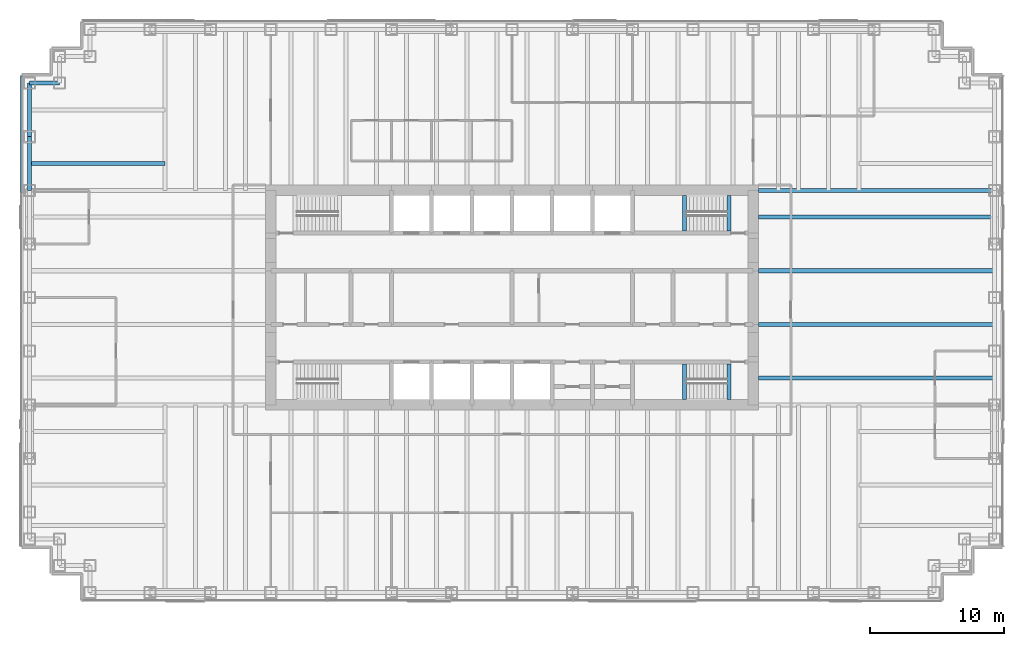
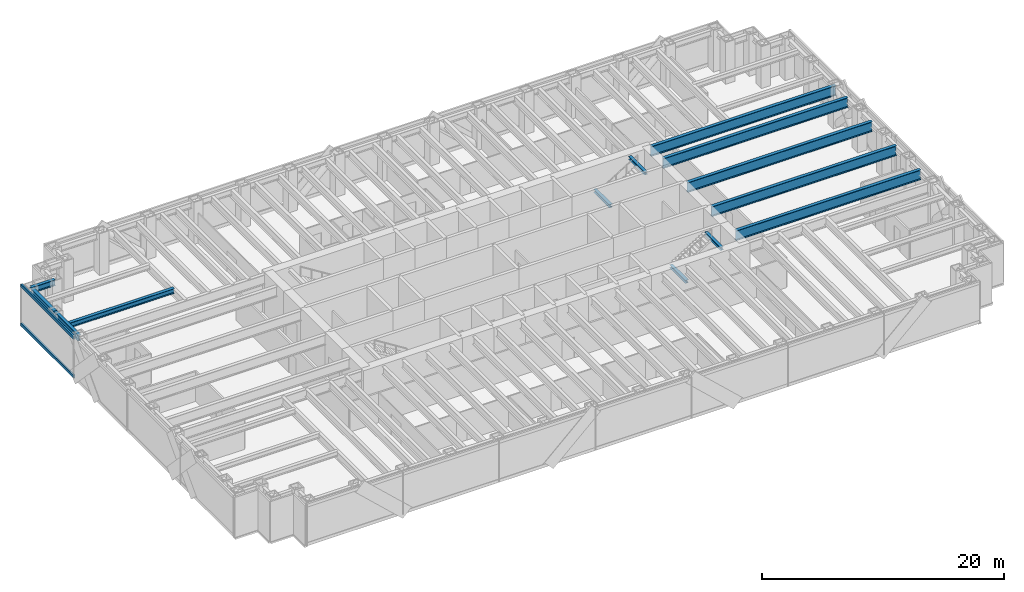
# One storey, part 5 of 19: 13 beams, 2 members, 1 element without a shape of its own.
"""IFC4 building model written with IfcOpenShell, lengths in metres."""

from ifc_helpers import new_model, si_unit, direction, frame, origin, origin_2d, place, context, subcontext, project, spatial, rectangle, i_section, extrude, material, material_profile, profile_set, type_object, element, aggregate, save


model = new_model("IFC4")

# Units and contexts
model_context = context("Model", 3, precision=1e-05, world=origin(), true_north=direction((0.0, 1.0)))
body_context = subcontext(model_context, "Body", "Model", "MODEL_VIEW")
ifc_project = project(units=[si_unit("LENGTHUNIT", "METRE"), si_unit("AREAUNIT", "SQUARE_METRE"), si_unit("VOLUMEUNIT", "CUBIC_METRE"), si_unit("PLANEANGLEUNIT", "RADIAN"), si_unit("MASSUNIT", "GRAM", prefix="KILO")], contexts=[model_context])

# Site, building, storey
site_placement = place(None, origin())
site = spatial("IfcSite", under=ifc_project, at=site_placement, CompositionType="ELEMENT")
building_placement = place(site_placement, origin())
building = spatial("IfcBuilding", under=site, at=building_placement, Name="Rheinbord Bourse Tower", CompositionType="ELEMENT")
storey_placement = place(building_placement, frame((0.0, 0.0, 206.800048828125)))
storey = spatial("IfcBuildingStorey", under=building, at=storey_placement, Name="L46", CompositionType="ELEMENT", Elevation=206.800048828125)

# Curtain wall, members
ifc_material_1 = material(Name="Dark glass and black aluminium", Category="aluminium")
curtain_wall_type = type_object("IfcCurtainWallType", Name="CW2 DARK GLASS CURTAIN WALL", PredefinedType="USERDEFINED", material=ifc_material_1)
curtain_wall_placement = place(storey_placement, origin())
curtain_wall = element("IfcCurtainWall", 1, at=curtain_wall_placement, inside=storey, type_object=curtain_wall_type, Name="Curtain wall CW2 W L46", ObjectType="UNITISED CURTAIN WALL", PredefinedType="USERDEFINED")
ifc_material_2 = material(Name="Black anodised aluminium", Category="aluminium")
ifc_material_profile_1 = material_profile(ifc_material_2, rectangle(XDim=0.159912109375, YDim=0.300048828125, at=origin_2d()), Name="CW2 TRANSOM 300x160")
ifc_profile_set_1 = profile_set([ifc_material_profile_1], Name="Black anodised aluminium")
member_type = type_object("IfcMemberType", Name="CW2 BLACK TRANSOM", PredefinedType="USERDEFINED", material=ifc_profile_set_1)
member_1_placement = place(storey_placement, frame((-0.60009765625, 40.530029296875, 0.14990234375), z_axis=(0.0, -1.0, 0.0), x_axis=(1.0, 0.0, 0.0)))
member_1 = element("IfcMember", 2, at=member_1_placement, type_object=member_type, Name="CW2 transom 1.1", ObjectType="TRANSOM", PredefinedType="USERDEFINED", context=body_context, shape_type="SweptSolid", body=[
    extrude(rectangle(XDim=0.159912109375, YDim=0.300048828125, at=origin_2d()), origin(), (0.0, 0.0, 1.0), 8.695068359375),
])
member_2_placement = place(storey_placement, frame((-0.60009765625, 40.530029296875, 4.050048828125), z_axis=(0.0, -1.0, 0.0), x_axis=(1.0, 0.0, 0.0)))
member_2 = element("IfcMember", 3, at=member_2_placement, type_object=member_type, Name="CW2 transom 1.2", ObjectType="TRANSOM", PredefinedType="USERDEFINED", context=body_context, shape_type="SweptSolid", body=[
    extrude(rectangle(XDim=0.159912109375, YDim=0.300048828125, at=origin_2d()), origin(), (0.0, 0.0, 1.0), 8.695068359375),
])
aggregate(curtain_wall, [member_1, member_2])

# Beams
ifc_material_3 = material(Name="Steel S460", Category="steel")
ifc_material_profile_2 = material_profile(ifc_material_3, i_section(OverallWidth=0.302001953125, OverallDepth=1.008056640625, WebThickness=0.02099609375, FlangeThickness=0.0400390625, at=origin_2d()), Name="HEM 1000")
ifc_profile_set_2 = profile_set([ifc_material_profile_2], Name="Steel S460")
beam_type_1 = type_object("IfcBeamType", Name="END BEAM HEM 1000", PredefinedType="BEAM", material=ifc_profile_set_2)
for number, where, z_axis, x_axis, name in (
    (4, (54.39990234375, 18.0, 3.535888671875), (1.0, 0.0, 0.0), (0.0, 1.0, 0.0), "End beam east 18 L47"),
    (5, (54.39990234375, 22.0, 3.535888671875), (1.0, 0.0, 0.0), (0.0, 1.0, 0.0), "End beam east 22 L47"),
    (6, (54.39990234375, 26.0, 3.535888671875), (1.0, 0.0, 0.0), (0.0, 1.0, 0.0), "End beam east 26 L47"),
    (7, (54.39990234375, 30.0, 3.535888671875), (1.0, 0.0, 0.0), (0.0, 1.0, 0.0), "End beam east 30 L47"),
):
    element("IfcBeam", number, at=place(storey_placement, frame(where, z_axis=z_axis, x_axis=x_axis)), inside=storey, type_object=beam_type_1, Name=name, PredefinedType="BEAM", context=body_context, shape_type="SweptSolid", body=[
        extrude(i_section(OverallWidth=0.302001953125, OverallDepth=1.008056640625, WebThickness=0.02099609375, FlangeThickness=0.0400390625, at=origin_2d()), origin(), (0.0, 0.0, 1.0), 17.60009765625),
    ])
ifc_material_4 = material(Name="Steel S460", Category="steel")
ifc_material_profile_3 = material_profile(ifc_material_4, i_section(OverallWidth=0.302001953125, OverallDepth=1.008056640625, WebThickness=0.02099609375, FlangeThickness=0.0400390625, at=origin_2d()), Name="HEM 1000")
ifc_profile_set_3 = profile_set([ifc_material_profile_3], Name="Steel S460")
beam_type_2 = type_object("IfcBeamType", Name="GIRDER HEM 1000", PredefinedType="BEAM", material=ifc_profile_set_3)
beam_1_placement = place(storey_placement, frame((54.39990234375, 32.0, 3.535888671875), z_axis=(1.0, 0.0, 0.0), x_axis=(0.0, 1.0, 0.0)))
element("IfcBeam", 8, at=beam_1_placement, inside=storey, type_object=beam_type_2, Name="Girder east 32 L47", PredefinedType="BEAM", context=body_context, shape_type="SweptSolid", body=[
    extrude(i_section(OverallWidth=0.302001953125, OverallDepth=1.008056640625, WebThickness=0.02099609375, FlangeThickness=0.0400390625, at=origin_2d()), origin(), (0.0, 0.0, 1.0), 17.60009765625),
])
ifc_material_5 = material(Name="Steel S460", Category="steel")
ifc_material_profile_4 = material_profile(ifc_material_5, i_section(OverallWidth=0.300048828125, OverallDepth=0.300048828125, WebThickness=0.010986328125, FlangeThickness=0.01904296875, at=origin_2d()), Name="HEB 300")
ifc_profile_set_4 = profile_set([ifc_material_profile_4], Name="Steel S460")
beam_type_3 = type_object("IfcBeamType", Name="LANDING TRIMMER HEB 300", PredefinedType="BEAM", material=ifc_profile_set_4)
for number, where, z_axis, x_axis, name in (
    (9, (48.8701171875, 16.39990234375, 1.75), (0.0, 1.0, 0.0), (-1.0, 0.0, 0.0), "Landing trimmer ST3 L46"),
    (10, (52.199951171875, 16.39990234375, 3.889892578125), (0.0, 1.0, 0.0), (-1.0, 0.0, 0.0), "Well trimmer ST3 under L47"),
    (11, (48.8701171875, 28.949951171875, 1.75), (0.0, 1.0, 0.0), (-1.0, 0.0, 0.0), "Landing trimmer ST4 L46"),
    (12, (52.199951171875, 28.949951171875, 3.889892578125), (0.0, 1.0, 0.0), (-1.0, 0.0, 0.0), "Well trimmer ST4 under L47"),
):
    element("IfcBeam", number, at=place(storey_placement, frame(where, z_axis=z_axis, x_axis=x_axis)), inside=storey, type_object=beam_type_3, Name=name, PredefinedType="BEAM", context=body_context, shape_type="SweptSolid", body=[
        extrude(i_section(OverallWidth=0.300048828125, OverallDepth=0.300048828125, WebThickness=0.010986328125, FlangeThickness=0.01904296875, at=origin_2d()), origin(), (0.0, 0.0, 1.0), 2.650146484375),
    ])
ifc_material_6 = material(Name="Steel S460", Category="steel")
ifc_material_profile_5 = material_profile(ifc_material_6, i_section(OverallWidth=0.300048828125, OverallDepth=0.60009765625, WebThickness=0.015380859375, FlangeThickness=0.030029296875, at=origin_2d()), Name="HEB 600")
ifc_profile_set_5 = profile_set([ifc_material_profile_5], Name="Steel S460")
beam_type_4 = type_object("IfcBeamType", Name="SPANDREL HEB 600", PredefinedType="SPANDREL", material=ifc_profile_set_5)
beam_2_placement = place(storey_placement, frame((2.25, 40.0, 3.739990234375), z_axis=(-1.0, 0.0, 0.0), x_axis=(0.0, -1.0, 0.0)))
element("IfcBeam", 13, at=beam_2_placement, inside=storey, type_object=beam_type_4, Name="Spandrel NW-B-NW-A under L47", PredefinedType="SPANDREL", context=body_context, shape_type="SweptSolid", body=[
    extrude(i_section(OverallWidth=0.300048828125, OverallDepth=0.60009765625, WebThickness=0.015380859375, FlangeThickness=0.030029296875, at=origin_2d()), origin(), (0.0, 0.0, 1.0), 2.25),
])
for number, where, z_axis, x_axis, name in (
    (14, (0.0, 40.0, 3.739990234375), (0.0, -1.0, 0.0), (1.0, 0.0, 0.0), "Spandrel NW-A-W-36 under L47"),
    (15, (0.0, 36.0, 3.739990234375), (0.0, -1.0, 0.0), (1.0, 0.0, 0.0), "Spandrel W-36-W-32 under L47"),
):
    element("IfcBeam", number, at=place(storey_placement, frame(where, z_axis=z_axis, x_axis=x_axis)), inside=storey, type_object=beam_type_4, Name=name, PredefinedType="SPANDREL", context=body_context, shape_type="SweptSolid", body=[
        extrude(i_section(OverallWidth=0.300048828125, OverallDepth=0.60009765625, WebThickness=0.015380859375, FlangeThickness=0.030029296875, at=origin_2d()), origin(), (0.0, 0.0, 1.0), 4.0),
    ])
ifc_material_7 = material(Name="Steel S460", Category="steel")
ifc_material_profile_6 = material_profile(ifc_material_7, i_section(OverallWidth=0.300048828125, OverallDepth=0.5, WebThickness=0.014404296875, FlangeThickness=0.028076171875, at=origin_2d()), Name="HEB 500")
ifc_profile_set_6 = profile_set([ifc_material_profile_6], Name="Steel S460")
beam_type_5 = type_object("IfcBeamType", Name="TIE BEAM HEB 500", PredefinedType="JOIST", material=ifc_profile_set_6)
beam_3_placement = place(storey_placement, frame((0.0, 34.0, 3.7900390625), z_axis=(1.0, 0.0, 0.0), x_axis=(0.0, 1.0, 0.0)))
element("IfcBeam", 16, at=beam_3_placement, inside=storey, type_object=beam_type_5, Name="Tie west 34 L47", PredefinedType="JOIST", context=body_context, shape_type="SweptSolid", body=[
    extrude(i_section(OverallWidth=0.300048828125, OverallDepth=0.5, WebThickness=0.014404296875, FlangeThickness=0.028076171875, at=origin_2d()), origin(), (0.0, 0.0, 1.0), 10.125),
])

save(model, "model.ifc")
